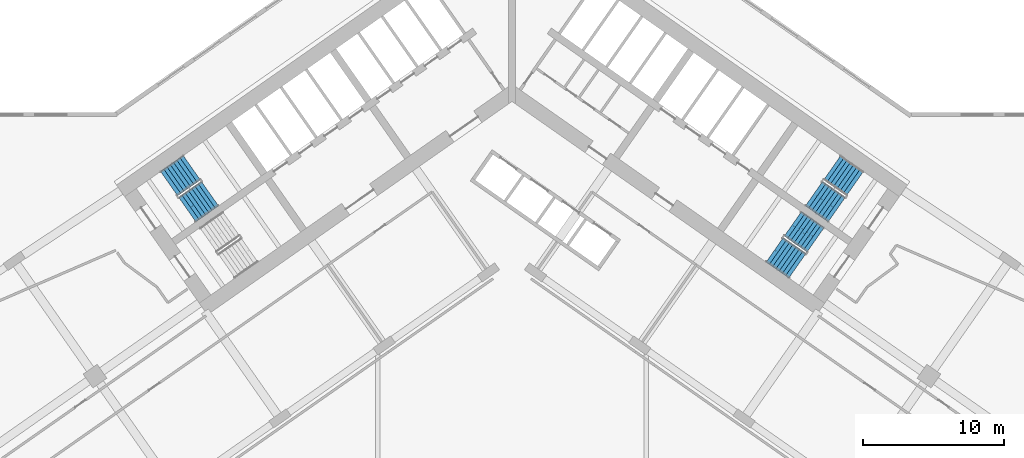
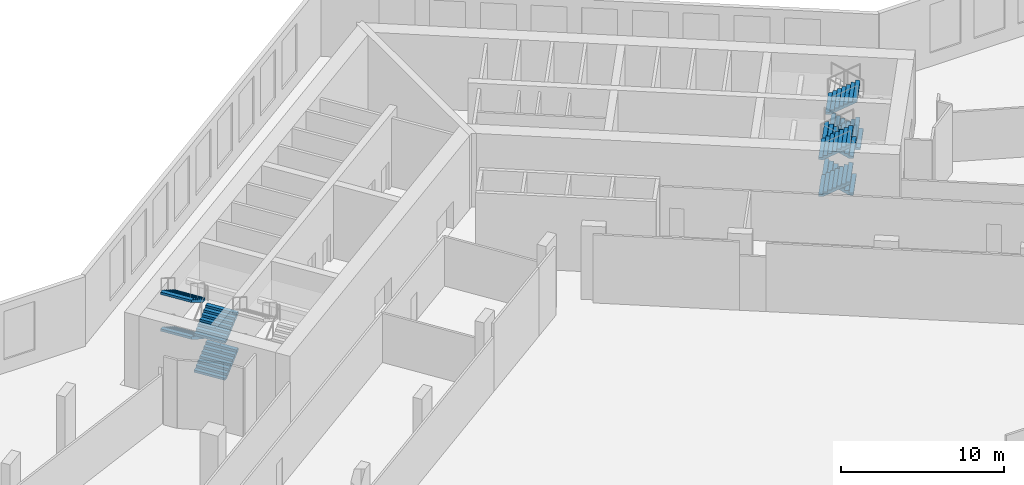
# One storey, part 16 of 26: 11 stair flights, 3 elements without a shape of their own.
"""IFC4 building model written with IfcOpenShell, lengths in metres."""

import ifcopenshell
import ifcopenshell.guid

model = None  # the IFC model being written
_history = None  # IfcOwnerHistory: only IFC2X3 demands one
_inside = {}  # id of a spatial element -> (the spatial element, [elements in it])
_under = {}  # id of a project, library or spatial element -> (it, [spatial elements below it])
_declared = {}  # id of a project -> (the project, [libraries it declares])
_typed = {}  # id of a type object -> (the type object, [elements of that type])
_made_of = {}  # id of a material, layer set ... -> (it, [elements and type objects made of it])


def new_model(schema):
    """Start an empty IFC model of exactly this schema.

    Asked for "IFC4X3", IfcOpenShell would pick the latest addendum, in which some entities
    have other attributes; the version numbers below select the first issue.
    IFC2X3 requires an IfcOwnerHistory on every rooted entity: one is made here for all.
    """
    global model, _history
    if schema == "IFC4X3":
        model = ifcopenshell.file(schema_version=(4, 3, 0, 0))
    else:
        model = ifcopenshell.file(schema=schema)
    _inside.clear()
    _under.clear()
    _declared.clear()
    _typed.clear()
    _made_of.clear()
    _history = None
    if model.schema == "IFC2X3":
        org = make("IfcOrganization", Name="unknown")
        user = make(
            "IfcPersonAndOrganization",
            ThePerson=make("IfcPerson", FamilyName="unknown"),
            TheOrganization=org,
        )
        app = make(
            "IfcApplication",
            ApplicationDeveloper=org,
            Version="unknown",
            ApplicationFullName="unknown",
            ApplicationIdentifier="unknown",
        )
        _history = make(
            "IfcOwnerHistory",
            OwningUser=user,
            OwningApplication=app,
            ChangeAction="ADDED",
            CreationDate=0,
        )
    return model


def make(cls, **values):
    """One entity of the class cls with the attributes given. An attribute that is None is left unset."""
    return model.create_entity(
        cls, **{name: value for name, value in values.items() if value is not None}
    )


def rooted(cls, **values):
    """An entity with a GlobalId (a new one), such as an element, a storey or a relation."""
    return make(cls, GlobalId=ifcopenshell.guid.new(), OwnerHistory=_history, **values)


def si_unit(unit_type, name, prefix=None):
    """IfcSIUnit, for example si_unit("LENGTHUNIT", "METRE", prefix="MILLI")."""
    return make("IfcSIUnit", UnitType=unit_type, Prefix=prefix, Name=name)


def assignment(units):
    """IfcUnitAssignment: the units of a project."""
    return None if units is None else make("IfcUnitAssignment", Units=units)


def point(xyz):
    """IfcCartesianPoint."""
    return None if xyz is None else make("IfcCartesianPoint", Coordinates=xyz)


def direction(xyz):
    """IfcDirection."""
    return None if xyz is None else make("IfcDirection", DirectionRatios=xyz)


def frame(location, z_axis=None, x_axis=None):
    """IfcAxis2Placement3D, a coordinate frame: its origin and axes. An axis left out is left unset."""
    return make(
        "IfcAxis2Placement3D",
        Location=point(location),
        Axis=direction(z_axis),
        RefDirection=direction(x_axis),
    )


def origin():
    """The frame at (0, 0, 0) with its axes left unset."""
    return frame((0.0, 0.0, 0.0))


def place(relative_to, where):
    """IfcLocalPlacement: puts the frame where relative to a parent placement (None: the world)."""
    return make(
        "IfcLocalPlacement", PlacementRelTo=relative_to, RelativePlacement=where
    )


def context(
    kind, dimensions, precision=None, world=None, true_north=None, identifier=None
):
    """IfcGeometricRepresentationContext, for example the 3D "Model" context."""
    return make(
        "IfcGeometricRepresentationContext",
        ContextIdentifier=identifier,
        ContextType=kind,
        CoordinateSpaceDimension=dimensions,
        Precision=precision,
        WorldCoordinateSystem=world,
        TrueNorth=true_north,
    )


def subcontext(parent, identifier, kind, view, scale=None):
    """IfcGeometricRepresentationSubContext, for example "Body" below "Model"."""
    return make(
        "IfcGeometricRepresentationSubContext",
        ContextIdentifier=identifier,
        ContextType=kind,
        ParentContext=parent,
        TargetScale=scale,
        TargetView=view,
    )


def project(units=None, contexts=None):
    """IfcProject with its units and contexts."""
    return rooted(
        "IfcProject",
        Name="project",
        RepresentationContexts=contexts,
        UnitsInContext=assignment(units),
    )


def spatial(cls, under=None, at=None, **own):
    """A site, building, storey or space (cls), placed at a placement, below another one or the project."""
    s = rooted(cls, ObjectPlacement=at, **own)
    if under is not None:
        _under.setdefault(under.id(), (under, []))[1].append(s)
    return s


def polyline(points):
    """IfcPolyline through the points."""
    return make("IfcPolyline", Points=[point(p) for p in points])


def outline(outer, holes=None, kind="AREA"):
    """IfcArbitraryClosedProfileDef: a profile drawn as a closed curve; with holes, ...WithVoids."""
    if holes is None:
        return make("IfcArbitraryClosedProfileDef", ProfileType=kind, OuterCurve=outer)
    return make(
        "IfcArbitraryProfileDefWithVoids",
        ProfileType=kind,
        OuterCurve=outer,
        InnerCurves=holes,
    )


def extrude(swept, where, along, depth):
    """IfcExtrudedAreaSolid: the profile swept, set in the frame where, extruded along a direction by depth."""
    return make(
        "IfcExtrudedAreaSolid",
        SweptArea=swept,
        Position=where,
        ExtrudedDirection=direction(along),
        Depth=depth,
    )


def shape(context_of_items, identifier, shape_type, items):
    """IfcShapeRepresentation: the items that make up one representation, for example the "Body"."""
    return make(
        "IfcShapeRepresentation",
        ContextOfItems=context_of_items,
        RepresentationIdentifier=identifier,
        RepresentationType=shape_type,
        Items=items,
    )


def material(Name=None, Category=None):
    """IfcMaterial."""
    return make("IfcMaterial", Name=Name, Category=Category)


def made_of(thing, what):
    """Note that an element or type object is made of a material, layer set ...; save() writes the relation."""
    if what is not None:
        _made_of.setdefault(what.id(), (what, []))[1].append(thing)
    return thing


def type_object(cls, material=None, **own):
    """A type object (cls), such as IfcWallType, which elements share."""
    return made_of(rooted(cls, **own), material)


def element(
    cls,
    number,
    at=None,
    inside=None,
    cuts=None,
    type_object=None,
    material=None,
    context=None,
    identifier="Body",
    shape_type=None,
    held_by="IfcProductDefinitionShape",
    body=None,
    shapes=None,
    **own,
):
    """One element of the class cls, such as IfcWall. Its Tag is "e" and its number.

    at: its placement. inside: the storey or other place that contains it. cuts: it is an
    opening in that element (IfcRelVoidsElement). A single representation is given by context,
    identifier, shape_type and body (its items); several are given by shapes. held_by: the class
    of the entity that holds the representations. save() writes the other relations.
    """
    e = rooted(cls, Tag="e%d" % number, ObjectPlacement=at, **own)
    if body is not None:
        shapes = [shape(context, identifier, shape_type, body)]
    if shapes is not None:
        e.Representation = make(held_by, Representations=shapes)
    if inside is not None:
        _inside.setdefault(inside.id(), (inside, []))[1].append(e)
    if cuts is not None:
        rooted(
            "IfcRelVoidsElement", RelatingBuildingElement=cuts, RelatedOpeningElement=e
        )
    if type_object is not None:
        _typed.setdefault(type_object.id(), (type_object, []))[1].append(e)
    return made_of(e, material)


def aggregate(whole, parts):
    """IfcRelAggregates: a whole, such as a stair, and the parts it consists of."""
    return rooted("IfcRelAggregates", RelatingObject=whole, RelatedObjects=parts)


def save(model, path):
    """Write the relations noted so far, then the file.

    IfcRelAggregates (storeys below a building ...), IfcRelContainedInSpatialStructure (elements
    in a storey), IfcRelDefinesByType, IfcRelAssociatesMaterial and IfcRelDeclares: one each for
    every whole, place, type object, material and project.
    """
    for whole, parts in _under.values():
        aggregate(whole, parts)
    for where, things in _inside.values():
        rooted(
            "IfcRelContainedInSpatialStructure",
            RelatedElements=things,
            RelatingStructure=where,
        )
    for kind, things in _typed.values():
        rooted("IfcRelDefinesByType", RelatedObjects=things, RelatingType=kind)
    for what, things in _made_of.values():
        rooted("IfcRelAssociatesMaterial", RelatedObjects=things, RelatingMaterial=what)
    for by, libraries in _declared.values():
        rooted("IfcRelDeclares", RelatingContext=by, RelatedDefinitions=libraries)
    model.write(path)


model = new_model("IFC4")

# Units and contexts
model_context = context("Model", 3, precision=1e-05, world=origin(), true_north=direction((0.0, 1.0)))
body_context = subcontext(model_context, "Body", "Model", "MODEL_VIEW")
ifc_project = project(units=[si_unit("LENGTHUNIT", "METRE"), si_unit("AREAUNIT", "SQUARE_METRE"), si_unit("VOLUMEUNIT", "CUBIC_METRE"), si_unit("PLANEANGLEUNIT", "RADIAN"), si_unit("MASSUNIT", "GRAM", prefix="KILO")], contexts=[model_context])

# Site, building, storey
site_placement = place(None, origin())
site = spatial("IfcSite", under=ifc_project, at=site_placement, CompositionType="ELEMENT")
building_placement = place(site_placement, origin())
building = spatial("IfcBuilding", under=site, at=building_placement, Name="Tel Ilan Convention Tower", CompositionType="ELEMENT")
storey_placement = place(building_placement, frame((0.0, 0.0, 37.5)))
storey = spatial("IfcBuildingStorey", under=building, at=storey_placement, Name="L05", CompositionType="ELEMENT", Elevation=37.5)

# Stair, stair flights
ifc_material_1 = material(Name="Concrete C40/50", Category="concrete")
stair_type = type_object("IfcStairType", Name="Pressurised Exit Stair 32 risers 172 mm", PredefinedType="HALF_TURN_STAIR", material=ifc_material_1)
stair_1_placement = place(storey_placement, origin())
stair_1 = element("IfcStair", 1, at=stair_1_placement, inside=storey, type_object=stair_type, Name="L05 Pressurised Stair S1", PredefinedType="HALF_TURN_STAIR")
ifc_material_2 = material(Name="Precast Concrete C40/50", Category="concrete")
stair_flight_type = type_object("IfcStairFlightType", Name="Concrete Stair Flight 2100 mm 32 risers 172 mm", PredefinedType="STRAIGHT", material=ifc_material_2)
stair_flight_1_placement = place(storey_placement, frame((-22.9619140625, -8.87548828125, 0.0), z_axis=(0.0, 0.0, 1.0), x_axis=(0.819152044289, 0.573576436351, 0.0)))
stair_flight_1 = element("IfcStairFlight", 2, at=stair_flight_1_placement, type_object=stair_flight_type, Name="S1 flight 1", NumberOfRisers=8, NumberOfTreads=7, PredefinedType="STRAIGHT", RiserHeight=0.171875, TreadLength=0.28, context=body_context, shape_type="SweptSolid", body=[
    extrude(outline(polyline([(0.0, 0.0), (0.0, 0.171875), (0.280029296875, 0.171875), (0.280029296875, 0.34375), (0.56005859375, 0.34375), (0.56005859375, 0.515625), (0.840087890625, 0.515625), (0.840087890625, 0.6875), (1.1201171875, 0.6875), (1.1201171875, 0.859375), (1.39990234375, 0.859375), (1.39990234375, 1.03125), (1.679931640625, 1.03125), (1.679931640625, 1.203125), (1.9599609375, 1.203125), (1.9599609375, 1.375), (1.9599609375, 1.02734375), (0.28662109375, 0.0), (0.0, 0.0)])), frame((0.0, -0.100341796875, 0.0), z_axis=(0.0, -1.0, 0.0), x_axis=(1.0, 0.0, 0.0)), (0.0, 0.0, 1.0), 0.94970703125),
    extrude(outline(polyline([(0.0, 0.0), (0.0, 0.171875), (0.280029296875, 0.171875), (0.280029296875, 0.34375), (0.56005859375, 0.34375), (0.56005859375, 0.515625), (0.840087890625, 0.515625), (0.840087890625, 0.6875), (1.1201171875, 0.6875), (1.1201171875, 0.859375), (1.39990234375, 0.859375), (1.39990234375, 1.03125), (1.679931640625, 1.03125), (1.679931640625, 1.203125), (1.9599609375, 1.203125), (1.9599609375, 1.375), (1.9599609375, 1.02734375), (0.28662109375, 0.0), (0.0, 0.0)])), frame((0.0, -0.000244140625, 0.0), z_axis=(0.0, -1.0, 0.0), x_axis=(1.0, 0.0, 0.0)), (0.0, 0.0, 1.0), 0.099609375),
    extrude(outline(polyline([(0.0, 0.0), (0.0, 0.171875), (0.280029296875, 0.171875), (0.280029296875, 0.34375), (0.56005859375, 0.34375), (0.56005859375, 0.515625), (0.840087890625, 0.515625), (0.840087890625, 0.6875), (1.1201171875, 0.6875), (1.1201171875, 0.859375), (1.39990234375, 0.859375), (1.39990234375, 1.03125), (1.679931640625, 1.03125), (1.679931640625, 1.203125), (1.9599609375, 1.203125), (1.9599609375, 1.375), (1.9599609375, 1.02734375), (0.28662109375, 0.0), (0.0, 0.0)])), frame((0.0, 0.099853515625, 0.0), z_axis=(0.0, -1.0, 0.0), x_axis=(1.0, 0.0, 0.0)), (0.0, 0.0, 1.0), 0.099609375),
    extrude(outline(polyline([(0.0, 0.0), (0.0, 0.171875), (0.280029296875, 0.171875), (0.280029296875, 0.34375), (0.56005859375, 0.34375), (0.56005859375, 0.515625), (0.840087890625, 0.515625), (0.840087890625, 0.6875), (1.1201171875, 0.6875), (1.1201171875, 0.859375), (1.39990234375, 0.859375), (1.39990234375, 1.03125), (1.679931640625, 1.03125), (1.679931640625, 1.203125), (1.9599609375, 1.203125), (1.9599609375, 1.375), (1.9599609375, 1.02734375), (0.28662109375, 0.0), (0.0, 0.0)])), frame((0.0, 1.050048828125, 0.0), z_axis=(0.0, -1.0, 0.0), x_axis=(1.0, 0.0, 0.0)), (0.0, 0.0, 1.0), 0.94970703125),
])
stair_flight_2_placement = place(storey_placement, frame((-22.646728515625, -5.908203125, 1.375), z_axis=(0.0, 0.0, 1.0), x_axis=(-0.819152044289, -0.573576436351, 0.0)))
stair_flight_2 = element("IfcStairFlight", 3, at=stair_flight_2_placement, type_object=stair_flight_type, Name="S1 flight 2", NumberOfRisers=8, NumberOfTreads=7, PredefinedType="STRAIGHT", RiserHeight=0.171875, TreadLength=0.28, context=body_context, shape_type="SweptSolid", body=[
    extrude(outline(polyline([(0.0, 0.0), (0.0, 0.171875), (0.280029296875, 0.171875), (0.280029296875, 0.34375), (0.56005859375, 0.34375), (0.56005859375, 0.515625), (0.840087890625, 0.515625), (0.840087890625, 0.6875), (1.1201171875, 0.6875), (1.1201171875, 0.859375), (1.39990234375, 0.859375), (1.39990234375, 1.03125), (1.679931640625, 1.03125), (1.679931640625, 1.203125), (1.9599609375, 1.203125), (1.9599609375, 1.375), (1.9599609375, 1.02734375), (0.28662109375, 0.0), (0.0, 0.0)])), frame((0.0, -0.100341796875, 0.0), z_axis=(0.0, -1.0, 0.0), x_axis=(1.0, 0.0, 0.0)), (0.0, 0.0, 1.0), 0.94970703125),
    extrude(outline(polyline([(0.0, 0.0), (0.0, 0.171875), (0.280029296875, 0.171875), (0.280029296875, 0.34375), (0.56005859375, 0.34375), (0.56005859375, 0.515625), (0.840087890625, 0.515625), (0.840087890625, 0.6875), (1.1201171875, 0.6875), (1.1201171875, 0.859375), (1.39990234375, 0.859375), (1.39990234375, 1.03125), (1.679931640625, 1.03125), (1.679931640625, 1.203125), (1.9599609375, 1.203125), (1.9599609375, 1.375), (1.9599609375, 1.02734375), (0.28662109375, 0.0), (0.0, 0.0)])), frame((0.0, -0.000244140625, 0.0), z_axis=(0.0, -1.0, 0.0), x_axis=(1.0, 0.0, 0.0)), (0.0, 0.0, 1.0), 0.099609375),
    extrude(outline(polyline([(0.0, 0.0), (0.0, 0.171875), (0.280029296875, 0.171875), (0.280029296875, 0.34375), (0.56005859375, 0.34375), (0.56005859375, 0.515625), (0.840087890625, 0.515625), (0.840087890625, 0.6875), (1.1201171875, 0.6875), (1.1201171875, 0.859375), (1.39990234375, 0.859375), (1.39990234375, 1.03125), (1.679931640625, 1.03125), (1.679931640625, 1.203125), (1.9599609375, 1.203125), (1.9599609375, 1.375), (1.9599609375, 1.02734375), (0.28662109375, 0.0), (0.0, 0.0)])), frame((0.0, 0.099853515625, 0.0), z_axis=(0.0, -1.0, 0.0), x_axis=(1.0, 0.0, 0.0)), (0.0, 0.0, 1.0), 0.099609375),
    extrude(outline(polyline([(0.0, 0.0), (0.0, 0.171875), (0.280029296875, 0.171875), (0.280029296875, 0.34375), (0.56005859375, 0.34375), (0.56005859375, 0.515625), (0.840087890625, 0.515625), (0.840087890625, 0.6875), (1.1201171875, 0.6875), (1.1201171875, 0.859375), (1.39990234375, 0.859375), (1.39990234375, 1.03125), (1.679931640625, 1.03125), (1.679931640625, 1.203125), (1.9599609375, 1.203125), (1.9599609375, 1.375), (1.9599609375, 1.02734375), (0.28662109375, 0.0), (0.0, 0.0)])), frame((0.0, 1.050048828125, 0.0), z_axis=(0.0, -1.0, 0.0), x_axis=(1.0, 0.0, 0.0)), (0.0, 0.0, 1.0), 0.94970703125),
])
stair_flight_3_placement = place(storey_placement, frame((-22.9619140625, -8.87548828125, 2.75), z_axis=(0.0, 0.0, 1.0), x_axis=(0.819152044289, 0.573576436351, 0.0)))
stair_flight_3 = element("IfcStairFlight", 4, at=stair_flight_3_placement, type_object=stair_flight_type, Name="S1 flight 3", NumberOfRisers=8, NumberOfTreads=7, PredefinedType="STRAIGHT", RiserHeight=0.171875, TreadLength=0.28, context=body_context, shape_type="SweptSolid", body=[
    extrude(outline(polyline([(0.0, 0.0), (0.0, 0.171875), (0.280029296875, 0.171875), (0.280029296875, 0.34375), (0.56005859375, 0.34375), (0.56005859375, 0.515625), (0.840087890625, 0.515625), (0.840087890625, 0.6875), (1.1201171875, 0.6875), (1.1201171875, 0.859375), (1.39990234375, 0.859375), (1.39990234375, 1.03125), (1.679931640625, 1.03125), (1.679931640625, 1.203125), (1.9599609375, 1.203125), (1.9599609375, 1.375), (1.9599609375, 1.02734375), (0.28662109375, 0.0), (0.0, 0.0)])), frame((0.0, -0.100341796875, 0.0), z_axis=(0.0, -1.0, 0.0), x_axis=(1.0, 0.0, 0.0)), (0.0, 0.0, 1.0), 0.94970703125),
    extrude(outline(polyline([(0.0, 0.0), (0.0, 0.171875), (0.280029296875, 0.171875), (0.280029296875, 0.34375), (0.56005859375, 0.34375), (0.56005859375, 0.515625), (0.840087890625, 0.515625), (0.840087890625, 0.6875), (1.1201171875, 0.6875), (1.1201171875, 0.859375), (1.39990234375, 0.859375), (1.39990234375, 1.03125), (1.679931640625, 1.03125), (1.679931640625, 1.203125), (1.9599609375, 1.203125), (1.9599609375, 1.375), (1.9599609375, 1.02734375), (0.28662109375, 0.0), (0.0, 0.0)])), frame((0.0, -0.000244140625, 0.0), z_axis=(0.0, -1.0, 0.0), x_axis=(1.0, 0.0, 0.0)), (0.0, 0.0, 1.0), 0.099609375),
    extrude(outline(polyline([(0.0, 0.0), (0.0, 0.171875), (0.280029296875, 0.171875), (0.280029296875, 0.34375), (0.56005859375, 0.34375), (0.56005859375, 0.515625), (0.840087890625, 0.515625), (0.840087890625, 0.6875), (1.1201171875, 0.6875), (1.1201171875, 0.859375), (1.39990234375, 0.859375), (1.39990234375, 1.03125), (1.679931640625, 1.03125), (1.679931640625, 1.203125), (1.9599609375, 1.203125), (1.9599609375, 1.375), (1.9599609375, 1.02734375), (0.28662109375, 0.0), (0.0, 0.0)])), frame((0.0, 0.099853515625, 0.0), z_axis=(0.0, -1.0, 0.0), x_axis=(1.0, 0.0, 0.0)), (0.0, 0.0, 1.0), 0.099609375),
    extrude(outline(polyline([(0.0, 0.0), (0.0, 0.171875), (0.280029296875, 0.171875), (0.280029296875, 0.34375), (0.56005859375, 0.34375), (0.56005859375, 0.515625), (0.840087890625, 0.515625), (0.840087890625, 0.6875), (1.1201171875, 0.6875), (1.1201171875, 0.859375), (1.39990234375, 0.859375), (1.39990234375, 1.03125), (1.679931640625, 1.03125), (1.679931640625, 1.203125), (1.9599609375, 1.203125), (1.9599609375, 1.375), (1.9599609375, 1.02734375), (0.28662109375, 0.0), (0.0, 0.0)])), frame((0.0, 1.050048828125, 0.0), z_axis=(0.0, -1.0, 0.0), x_axis=(1.0, 0.0, 0.0)), (0.0, 0.0, 1.0), 0.94970703125),
])
stair_flight_4_placement = place(storey_placement, frame((-22.646728515625, -5.908203125, 4.125), z_axis=(0.0, 0.0, 1.0), x_axis=(-0.819152044289, -0.573576436351, 0.0)))
stair_flight_4 = element("IfcStairFlight", 5, at=stair_flight_4_placement, type_object=stair_flight_type, Name="S1 flight 4", NumberOfRisers=8, NumberOfTreads=7, PredefinedType="STRAIGHT", RiserHeight=0.171875, TreadLength=0.28, context=body_context, shape_type="SweptSolid", body=[
    extrude(outline(polyline([(0.0, 0.0), (0.0, 0.171875), (0.280029296875, 0.171875), (0.280029296875, 0.34375), (0.56005859375, 0.34375), (0.56005859375, 0.515625), (0.840087890625, 0.515625), (0.840087890625, 0.6875), (1.1201171875, 0.6875), (1.1201171875, 0.859375), (1.39990234375, 0.859375), (1.39990234375, 1.03125), (1.679931640625, 1.03125), (1.679931640625, 1.203125), (1.9599609375, 1.203125), (1.9599609375, 1.375), (1.9599609375, 1.02734375), (0.28662109375, 0.0), (0.0, 0.0)])), frame((0.0, -0.100341796875, 0.0), z_axis=(0.0, -1.0, 0.0), x_axis=(1.0, 0.0, 0.0)), (0.0, 0.0, 1.0), 0.94970703125),
    extrude(outline(polyline([(0.0, 0.0), (0.0, 0.171875), (0.280029296875, 0.171875), (0.280029296875, 0.34375), (0.56005859375, 0.34375), (0.56005859375, 0.515625), (0.840087890625, 0.515625), (0.840087890625, 0.6875), (1.1201171875, 0.6875), (1.1201171875, 0.859375), (1.39990234375, 0.859375), (1.39990234375, 1.03125), (1.679931640625, 1.03125), (1.679931640625, 1.203125), (1.9599609375, 1.203125), (1.9599609375, 1.375), (1.9599609375, 1.02734375), (0.28662109375, 0.0), (0.0, 0.0)])), frame((0.0, -0.000244140625, 0.0), z_axis=(0.0, -1.0, 0.0), x_axis=(1.0, 0.0, 0.0)), (0.0, 0.0, 1.0), 0.099609375),
    extrude(outline(polyline([(0.0, 0.0), (0.0, 0.171875), (0.280029296875, 0.171875), (0.280029296875, 0.34375), (0.56005859375, 0.34375), (0.56005859375, 0.515625), (0.840087890625, 0.515625), (0.840087890625, 0.6875), (1.1201171875, 0.6875), (1.1201171875, 0.859375), (1.39990234375, 0.859375), (1.39990234375, 1.03125), (1.679931640625, 1.03125), (1.679931640625, 1.203125), (1.9599609375, 1.203125), (1.9599609375, 1.375), (1.9599609375, 1.02734375), (0.28662109375, 0.0), (0.0, 0.0)])), frame((0.0, 0.099853515625, 0.0), z_axis=(0.0, -1.0, 0.0), x_axis=(1.0, 0.0, 0.0)), (0.0, 0.0, 1.0), 0.099609375),
    extrude(outline(polyline([(0.0, 0.0), (0.0, 0.171875), (0.280029296875, 0.171875), (0.280029296875, 0.34375), (0.56005859375, 0.34375), (0.56005859375, 0.515625), (0.840087890625, 0.515625), (0.840087890625, 0.6875), (1.1201171875, 0.6875), (1.1201171875, 0.859375), (1.39990234375, 0.859375), (1.39990234375, 1.03125), (1.679931640625, 1.03125), (1.679931640625, 1.203125), (1.9599609375, 1.203125), (1.9599609375, 1.375), (1.9599609375, 1.02734375), (0.28662109375, 0.0), (0.0, 0.0)])), frame((0.0, 1.050048828125, 0.0), z_axis=(0.0, -1.0, 0.0), x_axis=(1.0, 0.0, 0.0)), (0.0, 0.0, 1.0), 0.94970703125),
])
aggregate(stair_1, [stair_flight_1, stair_flight_2, stair_flight_3, stair_flight_4])

stair_2_placement = place(storey_placement, origin())
stair_2 = element("IfcStair", 6, at=stair_2_placement, inside=storey, type_object=stair_type, Name="L05 Pressurised Stair S3", PredefinedType="HALF_TURN_STAIR")
stair_flight_5_placement = place(storey_placement, frame((24.25244140625, -7.032470703125, 0.0), z_axis=(0.0, 0.0, 1.0), x_axis=(-0.819152044289, 0.573576436351, 0.0)))
stair_flight_5 = element("IfcStairFlight", 7, at=stair_flight_5_placement, type_object=stair_flight_type, Name="S3 flight 1", NumberOfRisers=8, NumberOfTreads=7, PredefinedType="STRAIGHT", RiserHeight=0.171875, TreadLength=0.28, context=body_context, shape_type="SweptSolid", body=[
    extrude(outline(polyline([(0.0, 0.0), (0.0, 0.171875), (0.280029296875, 0.171875), (0.280029296875, 0.34375), (0.56005859375, 0.34375), (0.56005859375, 0.515625), (0.840087890625, 0.515625), (0.840087890625, 0.6875), (1.1201171875, 0.6875), (1.1201171875, 0.859375), (1.39990234375, 0.859375), (1.39990234375, 1.03125), (1.679931640625, 1.03125), (1.679931640625, 1.203125), (1.9599609375, 1.203125), (1.9599609375, 1.375), (1.9599609375, 1.02734375), (0.28662109375, 0.0), (0.0, 0.0)])), frame((0.0, -0.100341796875, 0.0), z_axis=(0.0, -1.0, 0.0), x_axis=(1.0, 0.0, 0.0)), (0.0, 0.0, 1.0), 0.94970703125),
    extrude(outline(polyline([(0.0, 0.0), (0.0, 0.171875), (0.280029296875, 0.171875), (0.280029296875, 0.34375), (0.56005859375, 0.34375), (0.56005859375, 0.515625), (0.840087890625, 0.515625), (0.840087890625, 0.6875), (1.1201171875, 0.6875), (1.1201171875, 0.859375), (1.39990234375, 0.859375), (1.39990234375, 1.03125), (1.679931640625, 1.03125), (1.679931640625, 1.203125), (1.9599609375, 1.203125), (1.9599609375, 1.375), (1.9599609375, 1.02734375), (0.28662109375, 0.0), (0.0, 0.0)])), frame((0.0, -0.000244140625, 0.0), z_axis=(0.0, -1.0, 0.0), x_axis=(1.0, 0.0, 0.0)), (0.0, 0.0, 1.0), 0.099609375),
    extrude(outline(polyline([(0.0, 0.0), (0.0, 0.171875), (0.280029296875, 0.171875), (0.280029296875, 0.34375), (0.56005859375, 0.34375), (0.56005859375, 0.515625), (0.840087890625, 0.515625), (0.840087890625, 0.6875), (1.1201171875, 0.6875), (1.1201171875, 0.859375), (1.39990234375, 0.859375), (1.39990234375, 1.03125), (1.679931640625, 1.03125), (1.679931640625, 1.203125), (1.9599609375, 1.203125), (1.9599609375, 1.375), (1.9599609375, 1.02734375), (0.28662109375, 0.0), (0.0, 0.0)])), frame((0.0, 0.099853515625, 0.0), z_axis=(0.0, -1.0, 0.0), x_axis=(1.0, 0.0, 0.0)), (0.0, 0.0, 1.0), 0.099609375),
    extrude(outline(polyline([(0.0, 0.0), (0.0, 0.171875), (0.280029296875, 0.171875), (0.280029296875, 0.34375), (0.56005859375, 0.34375), (0.56005859375, 0.515625), (0.840087890625, 0.515625), (0.840087890625, 0.6875), (1.1201171875, 0.6875), (1.1201171875, 0.859375), (1.39990234375, 0.859375), (1.39990234375, 1.03125), (1.679931640625, 1.03125), (1.679931640625, 1.203125), (1.9599609375, 1.203125), (1.9599609375, 1.375), (1.9599609375, 1.02734375), (0.28662109375, 0.0), (0.0, 0.0)])), frame((0.0, 1.050048828125, 0.0), z_axis=(0.0, -1.0, 0.0), x_axis=(1.0, 0.0, 0.0)), (0.0, 0.0, 1.0), 0.94970703125),
])
stair_flight_6_placement = place(storey_placement, frame((21.356201171875, -7.751220703125, 1.375), z_axis=(0.0, 0.0, 1.0), x_axis=(0.819152044289, -0.573576436351, 0.0)))
stair_flight_6 = element("IfcStairFlight", 8, at=stair_flight_6_placement, type_object=stair_flight_type, Name="S3 flight 2", NumberOfRisers=8, NumberOfTreads=7, PredefinedType="STRAIGHT", RiserHeight=0.171875, TreadLength=0.28, context=body_context, shape_type="SweptSolid", body=[
    extrude(outline(polyline([(0.0, 0.0), (0.0, 0.171875), (0.280029296875, 0.171875), (0.280029296875, 0.34375), (0.56005859375, 0.34375), (0.56005859375, 0.515625), (0.840087890625, 0.515625), (0.840087890625, 0.6875), (1.1201171875, 0.6875), (1.1201171875, 0.859375), (1.39990234375, 0.859375), (1.39990234375, 1.03125), (1.679931640625, 1.03125), (1.679931640625, 1.203125), (1.9599609375, 1.203125), (1.9599609375, 1.375), (1.9599609375, 1.02734375), (0.28662109375, 0.0), (0.0, 0.0)])), frame((0.0, -0.100341796875, 0.0), z_axis=(0.0, -1.0, 0.0), x_axis=(1.0, 0.0, 0.0)), (0.0, 0.0, 1.0), 0.94970703125),
    extrude(outline(polyline([(0.0, 0.0), (0.0, 0.171875), (0.280029296875, 0.171875), (0.280029296875, 0.34375), (0.56005859375, 0.34375), (0.56005859375, 0.515625), (0.840087890625, 0.515625), (0.840087890625, 0.6875), (1.1201171875, 0.6875), (1.1201171875, 0.859375), (1.39990234375, 0.859375), (1.39990234375, 1.03125), (1.679931640625, 1.03125), (1.679931640625, 1.203125), (1.9599609375, 1.203125), (1.9599609375, 1.375), (1.9599609375, 1.02734375), (0.28662109375, 0.0), (0.0, 0.0)])), frame((0.0, -0.000244140625, 0.0), z_axis=(0.0, -1.0, 0.0), x_axis=(1.0, 0.0, 0.0)), (0.0, 0.0, 1.0), 0.099609375),
    extrude(outline(polyline([(0.0, 0.0), (0.0, 0.171875), (0.280029296875, 0.171875), (0.280029296875, 0.34375), (0.56005859375, 0.34375), (0.56005859375, 0.515625), (0.840087890625, 0.515625), (0.840087890625, 0.6875), (1.1201171875, 0.6875), (1.1201171875, 0.859375), (1.39990234375, 0.859375), (1.39990234375, 1.03125), (1.679931640625, 1.03125), (1.679931640625, 1.203125), (1.9599609375, 1.203125), (1.9599609375, 1.375), (1.9599609375, 1.02734375), (0.28662109375, 0.0), (0.0, 0.0)])), frame((0.0, 0.099853515625, 0.0), z_axis=(0.0, -1.0, 0.0), x_axis=(1.0, 0.0, 0.0)), (0.0, 0.0, 1.0), 0.099609375),
    extrude(outline(polyline([(0.0, 0.0), (0.0, 0.171875), (0.280029296875, 0.171875), (0.280029296875, 0.34375), (0.56005859375, 0.34375), (0.56005859375, 0.515625), (0.840087890625, 0.515625), (0.840087890625, 0.6875), (1.1201171875, 0.6875), (1.1201171875, 0.859375), (1.39990234375, 0.859375), (1.39990234375, 1.03125), (1.679931640625, 1.03125), (1.679931640625, 1.203125), (1.9599609375, 1.203125), (1.9599609375, 1.375), (1.9599609375, 1.02734375), (0.28662109375, 0.0), (0.0, 0.0)])), frame((0.0, 1.050048828125, 0.0), z_axis=(0.0, -1.0, 0.0), x_axis=(1.0, 0.0, 0.0)), (0.0, 0.0, 1.0), 0.94970703125),
])
stair_flight_7_placement = place(storey_placement, frame((21.356201171875, -7.751220703125, 4.125), z_axis=(0.0, 0.0, 1.0), x_axis=(0.819152044289, -0.573576436351, 0.0)))
stair_flight_7 = element("IfcStairFlight", 9, at=stair_flight_7_placement, type_object=stair_flight_type, Name="S3 flight 4", NumberOfRisers=8, NumberOfTreads=7, PredefinedType="STRAIGHT", RiserHeight=0.171875, TreadLength=0.28, context=body_context, shape_type="SweptSolid", body=[
    extrude(outline(polyline([(0.0, 0.0), (0.0, 0.171875), (0.280029296875, 0.171875), (0.280029296875, 0.34375), (0.56005859375, 0.34375), (0.56005859375, 0.515625), (0.840087890625, 0.515625), (0.840087890625, 0.6875), (1.1201171875, 0.6875), (1.1201171875, 0.859375), (1.39990234375, 0.859375), (1.39990234375, 1.03125), (1.679931640625, 1.03125), (1.679931640625, 1.203125), (1.9599609375, 1.203125), (1.9599609375, 1.375), (1.9599609375, 1.02734375), (0.28662109375, 0.0), (0.0, 0.0)])), frame((0.0, -0.100341796875, 0.0), z_axis=(0.0, -1.0, 0.0), x_axis=(1.0, 0.0, 0.0)), (0.0, 0.0, 1.0), 0.94970703125),
    extrude(outline(polyline([(0.0, 0.0), (0.0, 0.171875), (0.280029296875, 0.171875), (0.280029296875, 0.34375), (0.56005859375, 0.34375), (0.56005859375, 0.515625), (0.840087890625, 0.515625), (0.840087890625, 0.6875), (1.1201171875, 0.6875), (1.1201171875, 0.859375), (1.39990234375, 0.859375), (1.39990234375, 1.03125), (1.679931640625, 1.03125), (1.679931640625, 1.203125), (1.9599609375, 1.203125), (1.9599609375, 1.375), (1.9599609375, 1.02734375), (0.28662109375, 0.0), (0.0, 0.0)])), frame((0.0, -0.000244140625, 0.0), z_axis=(0.0, -1.0, 0.0), x_axis=(1.0, 0.0, 0.0)), (0.0, 0.0, 1.0), 0.099609375),
    extrude(outline(polyline([(0.0, 0.0), (0.0, 0.171875), (0.280029296875, 0.171875), (0.280029296875, 0.34375), (0.56005859375, 0.34375), (0.56005859375, 0.515625), (0.840087890625, 0.515625), (0.840087890625, 0.6875), (1.1201171875, 0.6875), (1.1201171875, 0.859375), (1.39990234375, 0.859375), (1.39990234375, 1.03125), (1.679931640625, 1.03125), (1.679931640625, 1.203125), (1.9599609375, 1.203125), (1.9599609375, 1.375), (1.9599609375, 1.02734375), (0.28662109375, 0.0), (0.0, 0.0)])), frame((0.0, 0.099853515625, 0.0), z_axis=(0.0, -1.0, 0.0), x_axis=(1.0, 0.0, 0.0)), (0.0, 0.0, 1.0), 0.099609375),
    extrude(outline(polyline([(0.0, 0.0), (0.0, 0.171875), (0.280029296875, 0.171875), (0.280029296875, 0.34375), (0.56005859375, 0.34375), (0.56005859375, 0.515625), (0.840087890625, 0.515625), (0.840087890625, 0.6875), (1.1201171875, 0.6875), (1.1201171875, 0.859375), (1.39990234375, 0.859375), (1.39990234375, 1.03125), (1.679931640625, 1.03125), (1.679931640625, 1.203125), (1.9599609375, 1.203125), (1.9599609375, 1.375), (1.9599609375, 1.02734375), (0.28662109375, 0.0), (0.0, 0.0)])), frame((0.0, 1.050048828125, 0.0), z_axis=(0.0, -1.0, 0.0), x_axis=(1.0, 0.0, 0.0)), (0.0, 0.0, 1.0), 0.94970703125),
])
aggregate(stair_2, [stair_flight_5, stair_flight_6, stair_flight_7])

stair_3_placement = place(storey_placement, origin())
stair_3 = element("IfcStair", 10, at=stair_3_placement, inside=storey, type_object=stair_type, Name="L05 Pressurised Stair S4", PredefinedType="HALF_TURN_STAIR")
stair_flight_8_placement = place(storey_placement, frame((21.470458984375, -11.00537109375, 0.0), z_axis=(0.0, 0.0, 1.0), x_axis=(-0.819152044289, 0.573576436351, 0.0)))
stair_flight_8 = element("IfcStairFlight", 11, at=stair_flight_8_placement, type_object=stair_flight_type, Name="S4 flight 1", NumberOfRisers=8, NumberOfTreads=7, PredefinedType="STRAIGHT", RiserHeight=0.171875, TreadLength=0.28, context=body_context, shape_type="SweptSolid", body=[
    extrude(outline(polyline([(0.0, 0.0), (0.0, 0.171875), (0.280029296875, 0.171875), (0.280029296875, 0.34375), (0.56005859375, 0.34375), (0.56005859375, 0.515625), (0.840087890625, 0.515625), (0.840087890625, 0.6875), (1.1201171875, 0.6875), (1.1201171875, 0.859375), (1.39990234375, 0.859375), (1.39990234375, 1.03125), (1.679931640625, 1.03125), (1.679931640625, 1.203125), (1.9599609375, 1.203125), (1.9599609375, 1.375), (1.9599609375, 1.02734375), (0.28662109375, 0.0), (0.0, 0.0)])), frame((0.0, -0.100341796875, 0.0), z_axis=(0.0, -1.0, 0.0), x_axis=(1.0, 0.0, 0.0)), (0.0, 0.0, 1.0), 0.94970703125),
    extrude(outline(polyline([(0.0, 0.0), (0.0, 0.171875), (0.280029296875, 0.171875), (0.280029296875, 0.34375), (0.56005859375, 0.34375), (0.56005859375, 0.515625), (0.840087890625, 0.515625), (0.840087890625, 0.6875), (1.1201171875, 0.6875), (1.1201171875, 0.859375), (1.39990234375, 0.859375), (1.39990234375, 1.03125), (1.679931640625, 1.03125), (1.679931640625, 1.203125), (1.9599609375, 1.203125), (1.9599609375, 1.375), (1.9599609375, 1.02734375), (0.28662109375, 0.0), (0.0, 0.0)])), frame((0.0, -0.000244140625, 0.0), z_axis=(0.0, -1.0, 0.0), x_axis=(1.0, 0.0, 0.0)), (0.0, 0.0, 1.0), 0.099609375),
    extrude(outline(polyline([(0.0, 0.0), (0.0, 0.171875), (0.280029296875, 0.171875), (0.280029296875, 0.34375), (0.56005859375, 0.34375), (0.56005859375, 0.515625), (0.840087890625, 0.515625), (0.840087890625, 0.6875), (1.1201171875, 0.6875), (1.1201171875, 0.859375), (1.39990234375, 0.859375), (1.39990234375, 1.03125), (1.679931640625, 1.03125), (1.679931640625, 1.203125), (1.9599609375, 1.203125), (1.9599609375, 1.375), (1.9599609375, 1.02734375), (0.28662109375, 0.0), (0.0, 0.0)])), frame((0.0, 0.099853515625, 0.0), z_axis=(0.0, -1.0, 0.0), x_axis=(1.0, 0.0, 0.0)), (0.0, 0.0, 1.0), 0.099609375),
    extrude(outline(polyline([(0.0, 0.0), (0.0, 0.171875), (0.280029296875, 0.171875), (0.280029296875, 0.34375), (0.56005859375, 0.34375), (0.56005859375, 0.515625), (0.840087890625, 0.515625), (0.840087890625, 0.6875), (1.1201171875, 0.6875), (1.1201171875, 0.859375), (1.39990234375, 0.859375), (1.39990234375, 1.03125), (1.679931640625, 1.03125), (1.679931640625, 1.203125), (1.9599609375, 1.203125), (1.9599609375, 1.375), (1.9599609375, 1.02734375), (0.28662109375, 0.0), (0.0, 0.0)])), frame((0.0, 1.050048828125, 0.0), z_axis=(0.0, -1.0, 0.0), x_axis=(1.0, 0.0, 0.0)), (0.0, 0.0, 1.0), 0.94970703125),
])
stair_flight_9_placement = place(storey_placement, frame((18.574462890625, -11.72412109375, 1.375), z_axis=(0.0, 0.0, 1.0), x_axis=(0.819152044289, -0.573576436351, 0.0)))
stair_flight_9 = element("IfcStairFlight", 12, at=stair_flight_9_placement, type_object=stair_flight_type, Name="S4 flight 2", NumberOfRisers=8, NumberOfTreads=7, PredefinedType="STRAIGHT", RiserHeight=0.171875, TreadLength=0.28, context=body_context, shape_type="SweptSolid", body=[
    extrude(outline(polyline([(0.0, 0.0), (0.0, 0.171875), (0.280029296875, 0.171875), (0.280029296875, 0.34375), (0.56005859375, 0.34375), (0.56005859375, 0.515625), (0.840087890625, 0.515625), (0.840087890625, 0.6875), (1.1201171875, 0.6875), (1.1201171875, 0.859375), (1.39990234375, 0.859375), (1.39990234375, 1.03125), (1.679931640625, 1.03125), (1.679931640625, 1.203125), (1.9599609375, 1.203125), (1.9599609375, 1.375), (1.9599609375, 1.02734375), (0.28662109375, 0.0), (0.0, 0.0)])), frame((0.0, -0.100341796875, 0.0), z_axis=(0.0, -1.0, 0.0), x_axis=(1.0, 0.0, 0.0)), (0.0, 0.0, 1.0), 0.94970703125),
    extrude(outline(polyline([(0.0, 0.0), (0.0, 0.171875), (0.280029296875, 0.171875), (0.280029296875, 0.34375), (0.56005859375, 0.34375), (0.56005859375, 0.515625), (0.840087890625, 0.515625), (0.840087890625, 0.6875), (1.1201171875, 0.6875), (1.1201171875, 0.859375), (1.39990234375, 0.859375), (1.39990234375, 1.03125), (1.679931640625, 1.03125), (1.679931640625, 1.203125), (1.9599609375, 1.203125), (1.9599609375, 1.375), (1.9599609375, 1.02734375), (0.28662109375, 0.0), (0.0, 0.0)])), frame((0.0, -0.000244140625, 0.0), z_axis=(0.0, -1.0, 0.0), x_axis=(1.0, 0.0, 0.0)), (0.0, 0.0, 1.0), 0.099609375),
    extrude(outline(polyline([(0.0, 0.0), (0.0, 0.171875), (0.280029296875, 0.171875), (0.280029296875, 0.34375), (0.56005859375, 0.34375), (0.56005859375, 0.515625), (0.840087890625, 0.515625), (0.840087890625, 0.6875), (1.1201171875, 0.6875), (1.1201171875, 0.859375), (1.39990234375, 0.859375), (1.39990234375, 1.03125), (1.679931640625, 1.03125), (1.679931640625, 1.203125), (1.9599609375, 1.203125), (1.9599609375, 1.375), (1.9599609375, 1.02734375), (0.28662109375, 0.0), (0.0, 0.0)])), frame((0.0, 0.099853515625, 0.0), z_axis=(0.0, -1.0, 0.0), x_axis=(1.0, 0.0, 0.0)), (0.0, 0.0, 1.0), 0.099609375),
    extrude(outline(polyline([(0.0, 0.0), (0.0, 0.171875), (0.280029296875, 0.171875), (0.280029296875, 0.34375), (0.56005859375, 0.34375), (0.56005859375, 0.515625), (0.840087890625, 0.515625), (0.840087890625, 0.6875), (1.1201171875, 0.6875), (1.1201171875, 0.859375), (1.39990234375, 0.859375), (1.39990234375, 1.03125), (1.679931640625, 1.03125), (1.679931640625, 1.203125), (1.9599609375, 1.203125), (1.9599609375, 1.375), (1.9599609375, 1.02734375), (0.28662109375, 0.0), (0.0, 0.0)])), frame((0.0, 1.050048828125, 0.0), z_axis=(0.0, -1.0, 0.0), x_axis=(1.0, 0.0, 0.0)), (0.0, 0.0, 1.0), 0.94970703125),
])
stair_flight_10_placement = place(storey_placement, frame((21.470458984375, -11.00537109375, 2.75), z_axis=(0.0, 0.0, 1.0), x_axis=(-0.819152044289, 0.573576436351, 0.0)))
stair_flight_10 = element("IfcStairFlight", 13, at=stair_flight_10_placement, type_object=stair_flight_type, Name="S4 flight 3", NumberOfRisers=8, NumberOfTreads=7, PredefinedType="STRAIGHT", RiserHeight=0.171875, TreadLength=0.28, context=body_context, shape_type="SweptSolid", body=[
    extrude(outline(polyline([(0.0, 0.0), (0.0, 0.171875), (0.280029296875, 0.171875), (0.280029296875, 0.34375), (0.56005859375, 0.34375), (0.56005859375, 0.515625), (0.840087890625, 0.515625), (0.840087890625, 0.6875), (1.1201171875, 0.6875), (1.1201171875, 0.859375), (1.39990234375, 0.859375), (1.39990234375, 1.03125), (1.679931640625, 1.03125), (1.679931640625, 1.203125), (1.9599609375, 1.203125), (1.9599609375, 1.375), (1.9599609375, 1.02734375), (0.28662109375, 0.0), (0.0, 0.0)])), frame((0.0, -0.100341796875, 0.0), z_axis=(0.0, -1.0, 0.0), x_axis=(1.0, 0.0, 0.0)), (0.0, 0.0, 1.0), 0.94970703125),
    extrude(outline(polyline([(0.0, 0.0), (0.0, 0.171875), (0.280029296875, 0.171875), (0.280029296875, 0.34375), (0.56005859375, 0.34375), (0.56005859375, 0.515625), (0.840087890625, 0.515625), (0.840087890625, 0.6875), (1.1201171875, 0.6875), (1.1201171875, 0.859375), (1.39990234375, 0.859375), (1.39990234375, 1.03125), (1.679931640625, 1.03125), (1.679931640625, 1.203125), (1.9599609375, 1.203125), (1.9599609375, 1.375), (1.9599609375, 1.02734375), (0.28662109375, 0.0), (0.0, 0.0)])), frame((0.0, -0.000244140625, 0.0), z_axis=(0.0, -1.0, 0.0), x_axis=(1.0, 0.0, 0.0)), (0.0, 0.0, 1.0), 0.099609375),
    extrude(outline(polyline([(0.0, 0.0), (0.0, 0.171875), (0.280029296875, 0.171875), (0.280029296875, 0.34375), (0.56005859375, 0.34375), (0.56005859375, 0.515625), (0.840087890625, 0.515625), (0.840087890625, 0.6875), (1.1201171875, 0.6875), (1.1201171875, 0.859375), (1.39990234375, 0.859375), (1.39990234375, 1.03125), (1.679931640625, 1.03125), (1.679931640625, 1.203125), (1.9599609375, 1.203125), (1.9599609375, 1.375), (1.9599609375, 1.02734375), (0.28662109375, 0.0), (0.0, 0.0)])), frame((0.0, 0.099853515625, 0.0), z_axis=(0.0, -1.0, 0.0), x_axis=(1.0, 0.0, 0.0)), (0.0, 0.0, 1.0), 0.099609375),
    extrude(outline(polyline([(0.0, 0.0), (0.0, 0.171875), (0.280029296875, 0.171875), (0.280029296875, 0.34375), (0.56005859375, 0.34375), (0.56005859375, 0.515625), (0.840087890625, 0.515625), (0.840087890625, 0.6875), (1.1201171875, 0.6875), (1.1201171875, 0.859375), (1.39990234375, 0.859375), (1.39990234375, 1.03125), (1.679931640625, 1.03125), (1.679931640625, 1.203125), (1.9599609375, 1.203125), (1.9599609375, 1.375), (1.9599609375, 1.02734375), (0.28662109375, 0.0), (0.0, 0.0)])), frame((0.0, 1.050048828125, 0.0), z_axis=(0.0, -1.0, 0.0), x_axis=(1.0, 0.0, 0.0)), (0.0, 0.0, 1.0), 0.94970703125),
])
stair_flight_11_placement = place(storey_placement, frame((18.574462890625, -11.72412109375, 4.125), z_axis=(0.0, 0.0, 1.0), x_axis=(0.819152044289, -0.573576436351, 0.0)))
stair_flight_11 = element("IfcStairFlight", 14, at=stair_flight_11_placement, type_object=stair_flight_type, Name="S4 flight 4", NumberOfRisers=8, NumberOfTreads=7, PredefinedType="STRAIGHT", RiserHeight=0.171875, TreadLength=0.28, context=body_context, shape_type="SweptSolid", body=[
    extrude(outline(polyline([(0.0, 0.0), (0.0, 0.171875), (0.280029296875, 0.171875), (0.280029296875, 0.34375), (0.56005859375, 0.34375), (0.56005859375, 0.515625), (0.840087890625, 0.515625), (0.840087890625, 0.6875), (1.1201171875, 0.6875), (1.1201171875, 0.859375), (1.39990234375, 0.859375), (1.39990234375, 1.03125), (1.679931640625, 1.03125), (1.679931640625, 1.203125), (1.9599609375, 1.203125), (1.9599609375, 1.375), (1.9599609375, 1.02734375), (0.28662109375, 0.0), (0.0, 0.0)])), frame((0.0, -0.100341796875, 0.0), z_axis=(0.0, -1.0, 0.0), x_axis=(1.0, 0.0, 0.0)), (0.0, 0.0, 1.0), 0.94970703125),
    extrude(outline(polyline([(0.0, 0.0), (0.0, 0.171875), (0.280029296875, 0.171875), (0.280029296875, 0.34375), (0.56005859375, 0.34375), (0.56005859375, 0.515625), (0.840087890625, 0.515625), (0.840087890625, 0.6875), (1.1201171875, 0.6875), (1.1201171875, 0.859375), (1.39990234375, 0.859375), (1.39990234375, 1.03125), (1.679931640625, 1.03125), (1.679931640625, 1.203125), (1.9599609375, 1.203125), (1.9599609375, 1.375), (1.9599609375, 1.02734375), (0.28662109375, 0.0), (0.0, 0.0)])), frame((0.0, -0.000244140625, 0.0), z_axis=(0.0, -1.0, 0.0), x_axis=(1.0, 0.0, 0.0)), (0.0, 0.0, 1.0), 0.099609375),
    extrude(outline(polyline([(0.0, 0.0), (0.0, 0.171875), (0.280029296875, 0.171875), (0.280029296875, 0.34375), (0.56005859375, 0.34375), (0.56005859375, 0.515625), (0.840087890625, 0.515625), (0.840087890625, 0.6875), (1.1201171875, 0.6875), (1.1201171875, 0.859375), (1.39990234375, 0.859375), (1.39990234375, 1.03125), (1.679931640625, 1.03125), (1.679931640625, 1.203125), (1.9599609375, 1.203125), (1.9599609375, 1.375), (1.9599609375, 1.02734375), (0.28662109375, 0.0), (0.0, 0.0)])), frame((0.0, 0.099853515625, 0.0), z_axis=(0.0, -1.0, 0.0), x_axis=(1.0, 0.0, 0.0)), (0.0, 0.0, 1.0), 0.099609375),
    extrude(outline(polyline([(0.0, 0.0), (0.0, 0.171875), (0.280029296875, 0.171875), (0.280029296875, 0.34375), (0.56005859375, 0.34375), (0.56005859375, 0.515625), (0.840087890625, 0.515625), (0.840087890625, 0.6875), (1.1201171875, 0.6875), (1.1201171875, 0.859375), (1.39990234375, 0.859375), (1.39990234375, 1.03125), (1.679931640625, 1.03125), (1.679931640625, 1.203125), (1.9599609375, 1.203125), (1.9599609375, 1.375), (1.9599609375, 1.02734375), (0.28662109375, 0.0), (0.0, 0.0)])), frame((0.0, 1.050048828125, 0.0), z_axis=(0.0, -1.0, 0.0), x_axis=(1.0, 0.0, 0.0)), (0.0, 0.0, 1.0), 0.94970703125),
])
aggregate(stair_3, [stair_flight_8, stair_flight_9, stair_flight_10, stair_flight_11])

save(model, "model.ifc")
